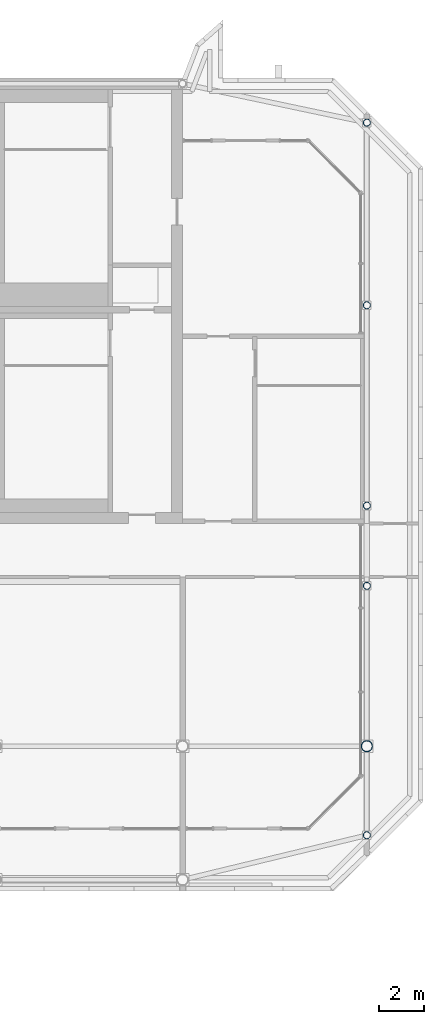
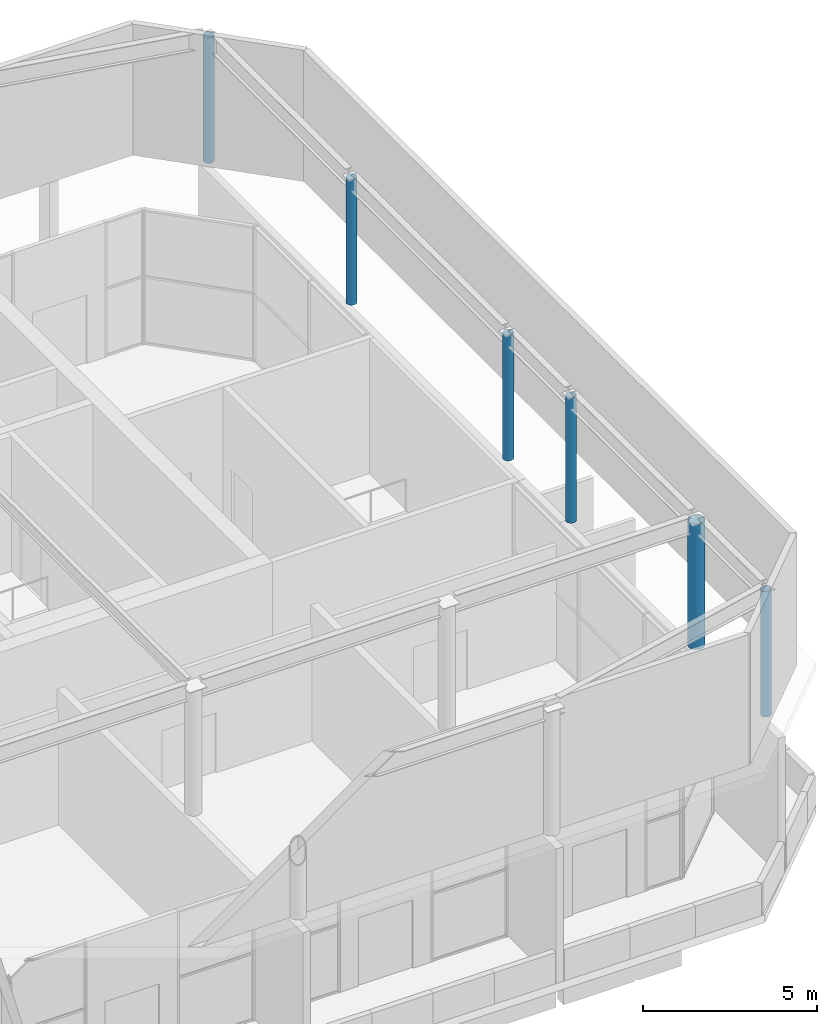
# One storey, part 5 of 25: 6 columns.
"""IFC4 building model written with IfcOpenShell, lengths in metres."""

from ifc_helpers import new_model, si_unit, direction, frame, origin, origin_2d, place, context, subcontext, project, spatial, hollow_circle, extrude, source, transform, mapped, material, material_profile, profile_set, type_object, element, save


model = new_model("IFC4")

# Units and contexts
model_context = context("Model", 3, precision=1e-05, world=origin(), true_north=direction((0.0, 1.0)))
body_context = subcontext(model_context, "Body", "Model", "MODEL_VIEW")
ifc_project = project(units=[si_unit("LENGTHUNIT", "METRE"), si_unit("AREAUNIT", "SQUARE_METRE"), si_unit("VOLUMEUNIT", "CUBIC_METRE"), si_unit("PLANEANGLEUNIT", "RADIAN"), si_unit("MASSUNIT", "GRAM", prefix="KILO")], contexts=[model_context])

# Site, building, storey
site_placement = place(None, origin())
site = spatial("IfcSite", under=ifc_project, at=site_placement, CompositionType="ELEMENT")
building_placement = place(site_placement, origin())
building = spatial("IfcBuilding", under=site, at=building_placement, Name="Vanashikhar Sky Hotel", CompositionType="ELEMENT")
storey_placement = place(building_placement, frame((0.0, 0.0, 329.699951171875)))
storey = spatial("IfcBuildingStorey", under=building, at=storey_placement, Name="L78", CompositionType="ELEMENT", Elevation=329.699951171875)

# Columns
ifc_material = material(Name="Steel S355", Category="steel")
ifc_material_profile_1 = material_profile(ifc_material, hollow_circle(Radius=0.25390625, WallThickness=0.02001953125, at=origin_2d()))
ifc_profile_set_1 = profile_set([ifc_material_profile_1], Name="CHS 508x20 Steel S355")
column_type_1 = type_object("IfcColumnType", Name="CHS 508x20 Steel S355", PredefinedType="COLUMN", material=ifc_profile_set_1)
shared_shape_1 = source(origin(), body_context, "Body", "SweptSolid", [
    extrude(hollow_circle(Radius=0.25390625, WallThickness=0.02001953125, at=origin_2d()), origin(), (0.0, 0.0, 1.0), 4.400146484375),
])
column_placement = place(storey_placement, frame((83.875, 12.0, 5.0), z_axis=(0.0, 0.0, 1.0), x_axis=(1.0, 0.0, 0.0)))
element("IfcColumn", 1, at=column_placement, inside=storey, type_object=column_type_1, Name="CP-L78-F15", PredefinedType="COLUMN", context=body_context, shape_type="MappedRepresentation", body=[
    mapped(shared_shape_1, transform((0.0, 0.0, 0.0), scale=1.0)),
])
ifc_material_profile_2 = material_profile(ifc_material, hollow_circle(Radius=0.162109375, WallThickness=0.011962890625, at=origin_2d()))
ifc_profile_set_2 = profile_set([ifc_material_profile_2], Name="CHS 324x12 Steel S355")
column_type_2 = type_object("IfcColumnType", Name="CHS 324x12 Steel S355", PredefinedType="COLUMN", material=ifc_profile_set_2)
shared_shape_2 = source(origin(), body_context, "Body", "SweptSolid", [
    extrude(hollow_circle(Radius=0.162109375, WallThickness=0.011962890625, at=origin_2d()), origin(), (0.0, 0.0, 1.0), 4.400146484375),
])
for number, where, z_axis, x_axis, name in (
    (2, (83.875, 8.0, 5.0), (0.0, 0.0, 1.0), (1.0, 0.0, 0.0), "CP-L78-W201"),
    (3, (83.875, 19.199951171875, 5.0), (0.0, 0.0, 1.0), (1.0, 0.0, 0.0), "CP-L78-W203"),
    (4, (83.875, 22.800048828125, 5.0), (0.0, 0.0, 1.0), (1.0, 0.0, 0.0), "CP-L78-W204"),
    (5, (83.875, 31.800048828125, 5.0), (0.0, 0.0, 1.0), (1.0, 0.0, 0.0), "CP-L78-W205"),
    (6, (83.875, 40.0, 5.0), (0.0, 0.0, 1.0), (1.0, 0.0, 0.0), "CP-L78-W206"),
):
    element("IfcColumn", number, at=place(storey_placement, frame(where, z_axis=z_axis, x_axis=x_axis)), inside=storey, type_object=column_type_2, Name=name, PredefinedType="COLUMN", context=body_context, shape_type="MappedRepresentation", body=[
        mapped(shared_shape_2, transform((0.0, 0.0, 0.0), scale=1.0)),
    ])

save(model, "model.ifc")
